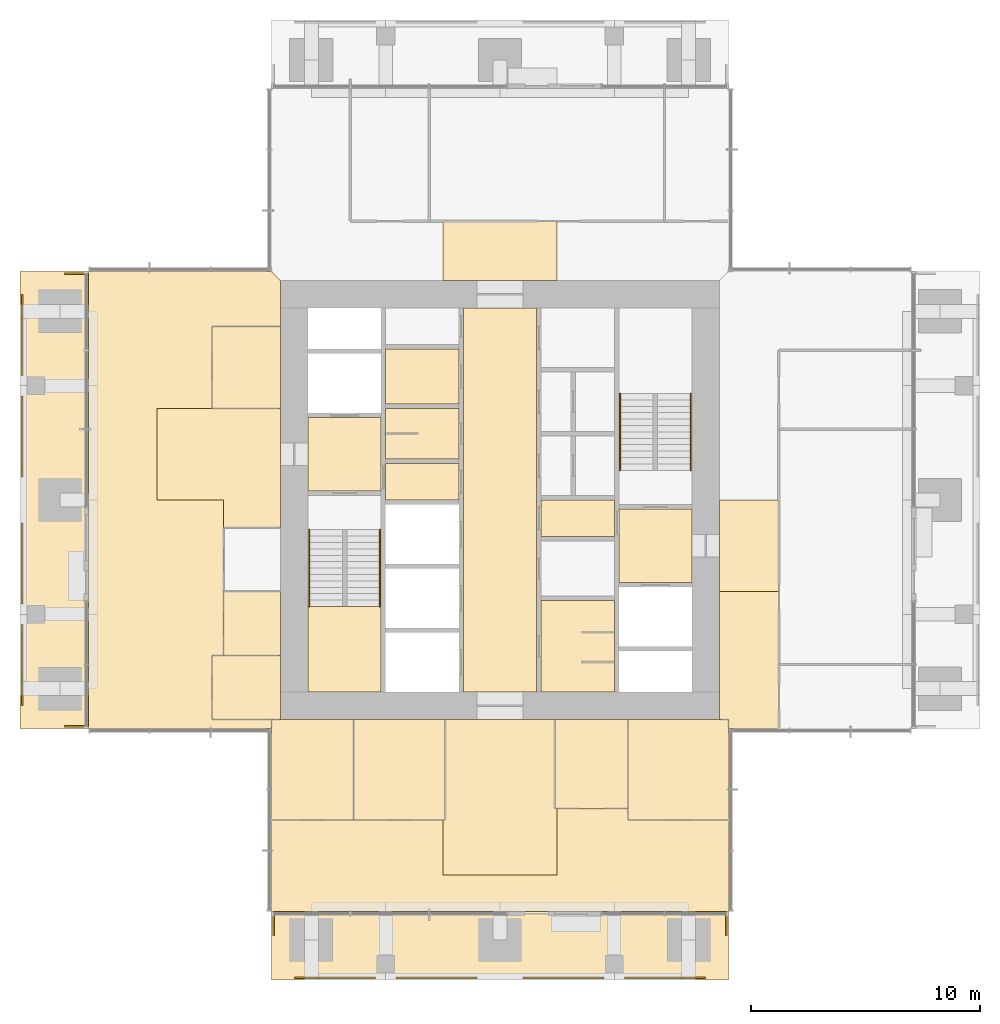
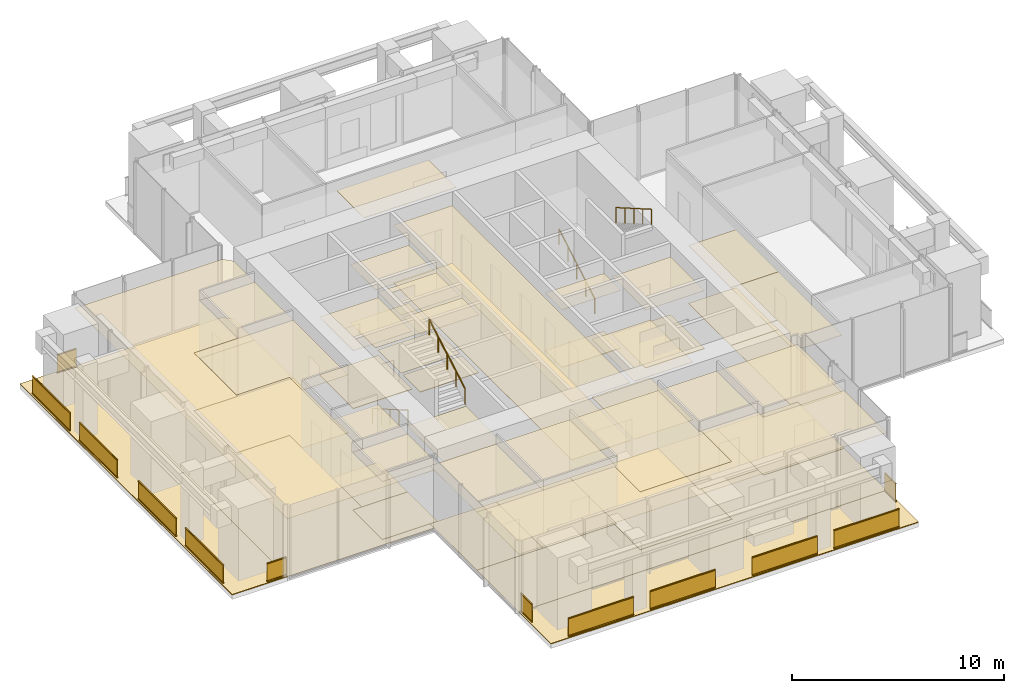
# One storey, part 10 of 12: 46 coverings, 16 railings.
"""IFC4 building model written with IfcOpenShell, lengths in metres."""

from ifc_helpers import new_model, si_unit, direction, frame, origin, origin_2d, place, context, subcontext, project, spatial, polyline, rectangle, circle, outline, extrude, material, layer, layer_set, type_object, element, save


model = new_model("IFC4")

# Units and contexts
model_context = context("Model", 3, precision=1e-05, world=origin(), true_north=direction((0.0, 1.0)))
body_context = subcontext(model_context, "Body", "Model", "MODEL_VIEW")
ifc_project = project(units=[si_unit("LENGTHUNIT", "METRE"), si_unit("AREAUNIT", "SQUARE_METRE"), si_unit("VOLUMEUNIT", "CUBIC_METRE"), si_unit("PLANEANGLEUNIT", "RADIAN"), si_unit("MASSUNIT", "GRAM", prefix="KILO")], contexts=[model_context])

# Site, building, storey
site_placement = place(None, origin())
site = spatial("IfcSite", under=ifc_project, at=site_placement, CompositionType="ELEMENT")
building_placement = place(site_placement, origin())
building = spatial("IfcBuilding", under=site, at=building_placement, Name="Svetlomir Tower", CompositionType="ELEMENT")
storey_placement = place(building_placement, frame((0.0, 0.0, 252.39990234375)))
storey = spatial("IfcBuildingStorey", under=building, at=storey_placement, Name="L60", CompositionType="ELEMENT", Elevation=252.39990234375)

# Railings
ifc_material_1 = material(Name="Bronze anodised aluminium and laminated glass", Category="aluminium")
railing_type_1 = type_object("IfcRailingType", Name="BALCONY GUARD GR1 1100", PredefinedType="GUARDRAIL", material=ifc_material_1)
for number, where, name in (
    (1, (12.0, 0.10009765625, 0.0), "Loggia guard S L60 bay 1"),
    (2, (16.449951171875, 0.10009765625, 0.0), "Loggia guard S L60 bay 2"),
    (3, (22.0, 0.10009765625, 0.0), "Loggia guard S L60 bay 3"),
    (4, (26.449951171875, 0.10009765625, 0.0), "Loggia guard S L60 bay 4"),
):
    element("IfcRailing", number, at=place(storey_placement, frame(where)), inside=storey, type_object=railing_type_1, Name=name, PredefinedType="GUARDRAIL", context=body_context, shape_type="SweptSolid", body=[
        extrude(rectangle(XDim=0.06005859375, YDim=0.10009765625, at=origin_2d()), frame((0.0, 0.0, 0.050048828125), z_axis=(1.0, 0.0, 0.0), x_axis=(0.0, 1.0, 0.0)), (0.0, 0.0, 1.0), 3.550048828125),
        extrude(rectangle(XDim=0.021484375, YDim=0.960205078125, at=origin_2d()), frame((0.0, 0.0, 0.580078125), z_axis=(1.0, 0.0, 0.0), x_axis=(0.0, 1.0, 0.0)), (0.0, 0.0, 1.0), 3.550048828125),
        extrude(rectangle(XDim=0.06005859375, YDim=0.0400390625, at=origin_2d()), frame((0.0, 0.0, 1.080078125), z_axis=(1.0, 0.0, 0.0), x_axis=(0.0, 1.0, 0.0)), (0.0, 0.0, 1.0), 3.550048828125),
    ])
for number, where, name in (
    (5, (11.10009765625, 1.949951171875, 0.0), "Loggia guard S L60 end 1"),
    (6, (30.89990234375, 1.949951171875, 0.0), "Loggia guard S L60 end 2"),
):
    element("IfcRailing", number, at=place(storey_placement, frame(where)), inside=storey, type_object=railing_type_1, Name=name, PredefinedType="GUARDRAIL", context=body_context, shape_type="SweptSolid", body=[
        extrude(rectangle(XDim=0.06005859375, YDim=0.10009765625, at=origin_2d()), frame((0.0, 0.0, 0.050048828125), z_axis=(0.0, 1.0, 0.0), x_axis=(-1.0, 0.0, 0.0)), (0.0, 0.0, 1.0), 1.050048828125),
        extrude(rectangle(XDim=0.021484375, YDim=0.960205078125, at=origin_2d()), frame((0.0, 0.0, 0.580078125), z_axis=(0.0, 1.0, 0.0), x_axis=(-1.0, 0.0, 0.0)), (0.0, 0.0, 1.0), 1.050048828125),
        extrude(rectangle(XDim=0.06005859375, YDim=0.0400390625, at=origin_2d()), frame((0.0, 0.0, 1.080078125), z_axis=(0.0, 1.0, 0.0), x_axis=(-1.0, 0.0, 0.0)), (0.0, 0.0, 1.0), 1.050048828125),
    ])
for number, where, name in (
    (7, (0.10009765625, 12.0, 0.0), "Loggia guard W L60 bay 1"),
    (8, (0.10009765625, 16.449951171875, 0.0), "Loggia guard W L60 bay 2"),
    (9, (0.10009765625, 22.0, 0.0), "Loggia guard W L60 bay 3"),
    (10, (0.10009765625, 26.449951171875, 0.0), "Loggia guard W L60 bay 4"),
):
    element("IfcRailing", number, at=place(storey_placement, frame(where)), inside=storey, type_object=railing_type_1, Name=name, PredefinedType="GUARDRAIL", context=body_context, shape_type="SweptSolid", body=[
        extrude(rectangle(XDim=0.06005859375, YDim=0.10009765625, at=origin_2d()), frame((0.0, 0.0, 0.050048828125), z_axis=(0.0, 1.0, 0.0), x_axis=(-1.0, 0.0, 0.0)), (0.0, 0.0, 1.0), 3.550048828125),
        extrude(rectangle(XDim=0.021484375, YDim=0.960205078125, at=origin_2d()), frame((0.0, 0.0, 0.580078125), z_axis=(0.0, 1.0, 0.0), x_axis=(-1.0, 0.0, 0.0)), (0.0, 0.0, 1.0), 3.550048828125),
        extrude(rectangle(XDim=0.06005859375, YDim=0.0400390625, at=origin_2d()), frame((0.0, 0.0, 1.080078125), z_axis=(0.0, 1.0, 0.0), x_axis=(-1.0, 0.0, 0.0)), (0.0, 0.0, 1.0), 3.550048828125),
    ])
for number, where, name in (
    (11, (1.949951171875, 11.10009765625, 0.0), "Loggia guard W L60 end 1"),
    (12, (1.949951171875, 30.89990234375, 0.0), "Loggia guard W L60 end 2"),
):
    element("IfcRailing", number, at=place(storey_placement, frame(where)), inside=storey, type_object=railing_type_1, Name=name, PredefinedType="GUARDRAIL", context=body_context, shape_type="SweptSolid", body=[
        extrude(rectangle(XDim=0.06005859375, YDim=0.10009765625, at=origin_2d()), frame((0.0, 0.0, 0.050048828125), z_axis=(1.0, 0.0, 0.0), x_axis=(0.0, 1.0, 0.0)), (0.0, 0.0, 1.0), 1.050048828125),
        extrude(rectangle(XDim=0.021484375, YDim=0.960205078125, at=origin_2d()), frame((0.0, 0.0, 0.580078125), z_axis=(1.0, 0.0, 0.0), x_axis=(0.0, 1.0, 0.0)), (0.0, 0.0, 1.0), 1.050048828125),
        extrude(rectangle(XDim=0.06005859375, YDim=0.0400390625, at=origin_2d()), frame((0.0, 0.0, 1.080078125), z_axis=(1.0, 0.0, 0.0), x_axis=(0.0, 1.0, 0.0)), (0.0, 0.0, 1.0), 1.050048828125),
    ])

# Coverings
ifc_material_2 = material(Name="Granite paving slabs on pedestals", Category="masonry")
ifc_layer_1 = layer(ifc_material_2, 0.0400390625)
ifc_layer_set_1 = layer_set([ifc_layer_1], Name="Granite paving slabs on pedestals")
covering_type_1 = type_object("IfcCoveringType", Name="BALCONY PAVING 40", PredefinedType="USERDEFINED", material=ifc_layer_set_1)
covering_1_placement = place(storey_placement, origin())
element("IfcCovering", 13, at=covering_1_placement, inside=storey, type_object=covering_type_1, Name="Loggia paving S L60", ObjectType="BALCONY PAVING", PredefinedType="USERDEFINED", context=body_context, shape_type="SweptSolid", body=[
    extrude(outline(polyline([(11.0, 0.0), (31.0, 0.0), (31.0, 3.0), (11.0, 3.0), (11.0, 0.0)])), origin(), (0.0, 0.0, 1.0), 0.0400390625),
])
covering_2_placement = place(storey_placement, origin())
element("IfcCovering", 14, at=covering_2_placement, inside=storey, type_object=covering_type_1, Name="Loggia paving W L60", ObjectType="BALCONY PAVING", PredefinedType="USERDEFINED", context=body_context, shape_type="SweptSolid", body=[
    extrude(outline(polyline([(0.0, 11.0), (3.0, 11.0), (3.0, 31.0), (0.0, 31.0), (0.0, 11.0)])), origin(), (0.0, 0.0, 1.0), 0.0400390625),
])
ifc_material_3 = material(Name="Ceramic floor tile", Category="ceramic")
ifc_layer_2 = layer(ifc_material_3, 0.014892578125)
ifc_layer_set_2 = layer_set([ifc_layer_2], Name="Ceramic floor tile")
covering_type_2 = type_object("IfcCoveringType", Name="CERAMIC TILE FLOOR 15", PredefinedType="FLOORING", material=ifc_layer_set_2)
covering_3_placement = place(storey_placement, origin())
element("IfcCovering", 15, at=covering_3_placement, inside=storey, type_object=covering_type_2, Name="Floor finish L60-04", PredefinedType="FLOORING", context=body_context, shape_type="SweptSolid", body=[
    extrude(outline(polyline([(16.0, 22.800048828125), (19.199951171875, 22.800048828125), (19.199951171875, 25.0), (16.0, 25.0), (16.0, 22.800048828125)])), origin(), (0.0, 0.0, 1.0), 0.01513671875),
])
covering_4_placement = place(storey_placement, origin())
element("IfcCovering", 16, at=covering_4_placement, inside=storey, type_object=covering_type_2, Name="Floor finish L60-05", PredefinedType="FLOORING", context=body_context, shape_type="SweptSolid", body=[
    extrude(outline(polyline([(16.0, 25.199951171875), (19.199951171875, 25.199951171875), (19.199951171875, 27.60009765625), (16.0, 27.60009765625), (16.0, 25.199951171875)])), origin(), (0.0, 0.0, 1.0), 0.01513671875),
])
covering_5_placement = place(storey_placement, origin())
element("IfcCovering", 17, at=covering_5_placement, inside=storey, type_object=covering_type_2, Name="Floor finish L60-08", PredefinedType="FLOORING", context=body_context, shape_type="SweptSolid", body=[
    extrude(outline(polyline([(22.800048828125, 12.60009765625), (26.0, 12.60009765625), (26.0, 16.60009765625), (22.800048828125, 16.60009765625), (22.800048828125, 12.60009765625)])), origin(), (0.0, 0.0, 1.0), 0.01513671875),
])

# Railings
ifc_material_4 = material(Name="Stainless steel", Category="steel")
railing_type_2 = type_object("IfcRailingType", Name="HANDRAIL HR1 900", PredefinedType="HANDRAIL", material=ifc_material_4)
railing_1_placement = place(storey_placement, frame((12.64990234375, 19.699951171875, 0.16162109375)))
element("IfcRailing", 18, at=railing_1_placement, inside=storey, type_object=railing_type_2, Name="Handrail S1 flight 1 L60", PredefinedType="HANDRAIL", context=body_context, shape_type="SweptSolid", body=[
    extrude(circle(Radius=0.02392578125, at=origin_2d()), frame((0.0, 0.0, 0.8759765625), z_axis=(0.0, -0.866175107563, 0.499740615757), x_axis=(1.0, 0.0, 0.0)), (0.0, 0.0, 1.0), 3.87890625),
    extrude(circle(Radius=0.02099609375, at=origin_2d()), origin(), (0.0, 0.0, 1.0), 0.851806640625),
    extrude(circle(Radius=0.02099609375, at=origin_2d()), frame((0.0, -0.83984375, 0.484619140625)), (0.0, 0.0, 1.0), 0.851806640625),
    extrude(circle(Radius=0.02099609375, at=origin_2d()), frame((0.0, -1.679931640625, 0.96923828125)), (0.0, 0.0, 1.0), 0.851806640625),
    extrude(circle(Radius=0.02099609375, at=origin_2d()), frame((0.0, -2.52001953125, 1.453857421875)), (0.0, 0.0, 1.0), 0.851806640625),
    extrude(circle(Radius=0.02099609375, at=origin_2d()), frame((0.0, -3.35986328125, 1.9384765625)), (0.0, 0.0, 1.0), 0.851806640625),
])
for number, where, name in (
    (19, (15.75, 16.340087890625, 2.26171875), "Handrail S1 flight 2 L60"),
    (20, (26.25, 22.300048828125, 0.16162109375), "Handrail S2 flight 1 L60"),
):
    element("IfcRailing", number, at=place(storey_placement, frame(where)), inside=storey, type_object=railing_type_2, Name=name, PredefinedType="HANDRAIL", context=body_context, shape_type="SweptSolid", body=[
        extrude(circle(Radius=0.02392578125, at=origin_2d()), frame((0.0, 0.0, 0.8759765625), z_axis=(0.0, 0.866175107563, 0.499740615757), x_axis=(-1.0, 0.0, 0.0)), (0.0, 0.0, 1.0), 3.87890625),
        extrude(circle(Radius=0.02099609375, at=origin_2d()), origin(), (0.0, 0.0, 1.0), 0.851806640625),
        extrude(circle(Radius=0.02099609375, at=origin_2d()), frame((0.0, 0.83984375, 0.484619140625)), (0.0, 0.0, 1.0), 0.851806640625),
        extrude(circle(Radius=0.02099609375, at=origin_2d()), frame((0.0, 1.679931640625, 0.96923828125)), (0.0, 0.0, 1.0), 0.851806640625),
        extrude(circle(Radius=0.02099609375, at=origin_2d()), frame((0.0, 2.52001953125, 1.453857421875)), (0.0, 0.0, 1.0), 0.851806640625),
        extrude(circle(Radius=0.02099609375, at=origin_2d()), frame((0.0, 3.35986328125, 1.9384765625)), (0.0, 0.0, 1.0), 0.851806640625),
    ])
railing_2_placement = place(storey_placement, frame((29.35009765625, 25.659912109375, 2.26171875)))
element("IfcRailing", 21, at=railing_2_placement, inside=storey, type_object=railing_type_2, Name="Handrail S2 flight 2 L60", PredefinedType="HANDRAIL", context=body_context, shape_type="SweptSolid", body=[
    extrude(circle(Radius=0.02392578125, at=origin_2d()), frame((0.0, 0.0, 0.8759765625), z_axis=(0.0, -0.866175107563, 0.499740615757), x_axis=(1.0, 0.0, 0.0)), (0.0, 0.0, 1.0), 3.87890625),
    extrude(circle(Radius=0.02099609375, at=origin_2d()), origin(), (0.0, 0.0, 1.0), 0.851806640625),
    extrude(circle(Radius=0.02099609375, at=origin_2d()), frame((0.0, -0.83984375, 0.484619140625)), (0.0, 0.0, 1.0), 0.851806640625),
    extrude(circle(Radius=0.02099609375, at=origin_2d()), frame((0.0, -1.679931640625, 0.96923828125)), (0.0, 0.0, 1.0), 0.851806640625),
    extrude(circle(Radius=0.02099609375, at=origin_2d()), frame((0.0, -2.52001953125, 1.453857421875)), (0.0, 0.0, 1.0), 0.851806640625),
    extrude(circle(Radius=0.02099609375, at=origin_2d()), frame((0.0, -3.35986328125, 1.9384765625)), (0.0, 0.0, 1.0), 0.851806640625),
])

# Coverings
ifc_material_5 = material(Name="Moisture resistant plasterboard ceiling", Category="gypsum")
ifc_layer_3 = layer(ifc_material_5, 0.012451171875)
ifc_layer_set_3 = layer_set([ifc_layer_3], Name="Moisture resistant plasterboard ceiling")
covering_type_3 = type_object("IfcCoveringType", Name="MOISTURE RESISTANT CEILING 12.5", PredefinedType="CEILING", material=ifc_layer_set_3)
covering_6_placement = place(storey_placement, frame((0.0, 0.0, 3.337646484375)))
element("IfcCovering", 22, at=covering_6_placement, inside=storey, type_object=covering_type_3, Name="Ceiling L60-04", PredefinedType="CEILING", context=body_context, shape_type="SweptSolid", body=[
    extrude(outline(polyline([(16.0, 22.800048828125), (19.199951171875, 22.800048828125), (19.199951171875, 25.0), (16.0, 25.0), (16.0, 22.800048828125)])), origin(), (0.0, 0.0, 1.0), 0.012451171875),
])
covering_7_placement = place(storey_placement, frame((0.0, 0.0, 3.337646484375)))
element("IfcCovering", 23, at=covering_7_placement, inside=storey, type_object=covering_type_3, Name="Ceiling L60-05", PredefinedType="CEILING", context=body_context, shape_type="SweptSolid", body=[
    extrude(outline(polyline([(16.0, 25.199951171875), (19.199951171875, 25.199951171875), (19.199951171875, 27.60009765625), (16.0, 27.60009765625), (16.0, 25.199951171875)])), origin(), (0.0, 0.0, 1.0), 0.012451171875),
])
covering_8_placement = place(storey_placement, frame((0.0, 0.0, 3.337646484375)))
element("IfcCovering", 24, at=covering_8_placement, inside=storey, type_object=covering_type_3, Name="Ceiling L60-08", PredefinedType="CEILING", context=body_context, shape_type="SweptSolid", body=[
    extrude(outline(polyline([(22.800048828125, 12.60009765625), (26.0, 12.60009765625), (26.0, 16.60009765625), (22.800048828125, 16.60009765625), (22.800048828125, 12.60009765625)])), origin(), (0.0, 0.0, 1.0), 0.012451171875),
])
ifc_material_6 = material(Name="Engineered oak floor", Category="wood")
ifc_layer_4 = layer(ifc_material_6, 0.02001953125)
ifc_layer_set_4 = layer_set([ifc_layer_4], Name="Engineered oak floor")
covering_type_4 = type_object("IfcCoveringType", Name="OAK FLOOR 20", PredefinedType="FLOORING", material=ifc_layer_set_4)
covering_9_placement = place(storey_placement, origin())
element("IfcCovering", 25, at=covering_9_placement, inside=storey, type_object=covering_type_4, Name="Floor finish L60-18", PredefinedType="FLOORING", context=body_context, shape_type="SweptSolid", body=[
    extrude(outline(polyline([(11.0, 7.0), (14.60009765625, 7.0), (14.60009765625, 11.39990234375), (11.0, 11.39990234375), (11.0, 7.0)])), origin(), (0.0, 0.0, 1.0), 0.02001953125),
])
covering_10_placement = place(storey_placement, origin())
element("IfcCovering", 26, at=covering_10_placement, inside=storey, type_object=covering_type_4, Name="Floor finish L60-19", PredefinedType="FLOORING", context=body_context, shape_type="SweptSolid", body=[
    extrude(outline(polyline([(14.60009765625, 7.0), (18.60009765625, 7.0), (18.60009765625, 11.39990234375), (14.60009765625, 11.39990234375), (14.60009765625, 7.0)])), origin(), (0.0, 0.0, 1.0), 0.02001953125),
])
covering_11_placement = place(storey_placement, origin())
element("IfcCovering", 27, at=covering_11_placement, inside=storey, type_object=covering_type_4, Name="Floor finish L60-20", PredefinedType="FLOORING", context=body_context, shape_type="SweptSolid", body=[
    extrude(outline(polyline([(23.39990234375, 7.5), (26.60009765625, 7.5), (26.60009765625, 11.39990234375), (23.39990234375, 11.39990234375), (23.39990234375, 7.5)])), origin(), (0.0, 0.0, 1.0), 0.02001953125),
])
covering_12_placement = place(storey_placement, origin())
element("IfcCovering", 28, at=covering_12_placement, inside=storey, type_object=covering_type_4, Name="Floor finish L60-21", PredefinedType="FLOORING", context=body_context, shape_type="SweptSolid", body=[
    extrude(outline(polyline([(26.60009765625, 7.0), (31.0, 7.0), (31.0, 11.39990234375), (26.60009765625, 11.39990234375), (26.60009765625, 7.0)])), origin(), (0.0, 0.0, 1.0), 0.02001953125),
])
covering_13_placement = place(storey_placement, origin())
element("IfcCovering", 29, at=covering_13_placement, inside=storey, type_object=covering_type_4, Name="Floor finish L60-28", PredefinedType="FLOORING", context=body_context, shape_type="SweptSolid", body=[
    extrude(outline(polyline([(8.39990234375, 11.39990234375), (11.39990234375, 11.39990234375), (11.39990234375, 14.199951171875), (8.39990234375, 14.199951171875), (8.39990234375, 11.39990234375)])), origin(), (0.0, 0.0, 1.0), 0.02001953125),
])
covering_14_placement = place(storey_placement, origin())
element("IfcCovering", 30, at=covering_14_placement, inside=storey, type_object=covering_type_4, Name="Floor finish L60-29", PredefinedType="FLOORING", context=body_context, shape_type="SweptSolid", body=[
    extrude(outline(polyline([(8.89990234375, 14.199951171875), (11.39990234375, 14.199951171875), (11.39990234375, 17.0), (8.89990234375, 17.0), (8.89990234375, 14.199951171875)])), origin(), (0.0, 0.0, 1.0), 0.02001953125),
])
covering_15_placement = place(storey_placement, origin())
element("IfcCovering", 31, at=covering_15_placement, inside=storey, type_object=covering_type_4, Name="Floor finish L60-31", PredefinedType="FLOORING", context=body_context, shape_type="SweptSolid", body=[
    extrude(outline(polyline([(8.39990234375, 25.0), (11.39990234375, 25.0), (11.39990234375, 28.60009765625), (8.39990234375, 28.60009765625), (8.39990234375, 25.0)])), origin(), (0.0, 0.0, 1.0), 0.02001953125),
])
covering_16_placement = place(storey_placement, origin())
element("IfcCovering", 32, at=covering_16_placement, inside=storey, type_object=covering_type_4, Name="Floor finish L60-32", PredefinedType="FLOORING", context=body_context, shape_type="SweptSolid", body=[
    extrude(outline(polyline([(23.39990234375, 7.5), (23.5, 7.5), (23.5, 4.60009765625), (18.5, 4.60009765625), (18.5, 7.0), (18.60009765625, 7.0), (18.60009765625, 11.39990234375), (23.39990234375, 11.39990234375), (23.39990234375, 7.5)])), origin(), (0.0, 0.0, 1.0), 0.02001953125),
])
covering_17_placement = place(storey_placement, origin())
element("IfcCovering", 33, at=covering_17_placement, inside=storey, type_object=covering_type_4, Name="Floor finish L60-33", PredefinedType="FLOORING", context=body_context, shape_type="SweptSolid", body=[
    extrude(outline(polyline([(30.60009765625, 21.0), (33.199951171875, 21.0), (33.199951171875, 17.0), (30.60009765625, 17.0), (30.60009765625, 21.0)])), origin(), (0.0, 0.0, 1.0), 0.02001953125),
])
covering_18_placement = place(storey_placement, origin())
element("IfcCovering", 34, at=covering_18_placement, inside=storey, type_object=covering_type_4, Name="Floor finish L60-34", PredefinedType="FLOORING", context=body_context, shape_type="SweptSolid", body=[
    extrude(outline(polyline([(6.0, 21.0), (6.0, 25.0), (11.39990234375, 25.0), (11.39990234375, 19.800048828125), (8.89990234375, 19.800048828125), (8.89990234375, 21.0), (6.0, 21.0)])), origin(), (0.0, 0.0, 1.0), 0.02001953125),
])
covering_19_placement = place(storey_placement, origin())
element("IfcCovering", 35, at=covering_19_placement, inside=storey, type_object=covering_type_4, Name="Floor finish L60-36", PredefinedType="FLOORING", context=body_context, shape_type="SweptSolid", body=[
    extrude(outline(polyline([(11.0, 7.0), (18.5, 7.0), (18.5, 4.60009765625), (23.5, 4.60009765625), (23.5, 7.5), (26.60009765625, 7.5), (26.60009765625, 7.0), (31.0, 7.0), (31.0, 3.0), (11.0, 3.0), (11.0, 7.0)])), origin(), (0.0, 0.0, 1.0), 0.02001953125),
])
covering_20_placement = place(storey_placement, origin())
element("IfcCovering", 36, at=covering_20_placement, inside=storey, type_object=covering_type_4, Name="Floor finish L60-37", PredefinedType="FLOORING", context=body_context, shape_type="SweptSolid", body=[
    extrude(outline(polyline([(30.60009765625, 11.39990234375), (30.60009765625, 17.0), (33.199951171875, 17.0), (33.199951171875, 11.0), (31.0, 11.0), (31.0, 11.39990234375), (30.60009765625, 11.39990234375)])), origin(), (0.0, 0.0, 1.0), 0.02001953125),
])
covering_21_placement = place(storey_placement, origin())
element("IfcCovering", 37, at=covering_21_placement, inside=storey, type_object=covering_type_4, Name="Floor finish L60-41", PredefinedType="FLOORING", context=body_context, shape_type="SweptSolid", body=[
    extrude(outline(polyline([(11.39990234375, 28.60009765625), (8.39990234375, 28.60009765625), (8.39990234375, 25.0), (6.0, 25.0), (6.0, 21.0), (8.89990234375, 21.0), (8.89990234375, 14.199951171875), (8.39990234375, 14.199951171875), (8.39990234375, 11.39990234375), (11.0, 11.39990234375), (11.0, 11.0), (3.0, 11.0), (3.0, 31.0), (11.0, 31.0), (11.39990234375, 30.60009765625), (11.39990234375, 28.60009765625)])), origin(), (0.0, 0.0, 1.0), 0.02001953125),
])
ifc_material_7 = material(Name="Gypsum plasterboard ceiling", Category="gypsum")
ifc_layer_5 = layer(ifc_material_7, 0.014892578125)
ifc_layer_set_5 = layer_set([ifc_layer_5], Name="Gypsum plasterboard ceiling")
covering_type_5 = type_object("IfcCoveringType", Name="PLASTERBOARD CEILING 15", PredefinedType="CEILING", material=ifc_layer_set_5)
covering_22_placement = place(storey_placement, frame((0.0, 0.0, 3.335205078125)))
element("IfcCovering", 38, at=covering_22_placement, inside=storey, type_object=covering_type_5, Name="Ceiling L60-02", PredefinedType="CEILING", context=body_context, shape_type="SweptSolid", body=[
    extrude(outline(polyline([(12.60009765625, 21.39990234375), (15.800048828125, 21.39990234375), (15.800048828125, 24.60009765625), (12.60009765625, 24.60009765625), (12.60009765625, 21.39990234375)])), origin(), (0.0, 0.0, 1.0), 0.014892578125),
])
covering_23_placement = place(storey_placement, frame((0.0, 0.0, 3.335205078125)))
element("IfcCovering", 39, at=covering_23_placement, inside=storey, type_object=covering_type_5, Name="Ceiling L60-03", PredefinedType="CEILING", context=body_context, shape_type="SweptSolid", body=[
    extrude(outline(polyline([(16.0, 21.0), (19.199951171875, 21.0), (19.199951171875, 22.60009765625), (16.0, 22.60009765625), (16.0, 21.0)])), origin(), (0.0, 0.0, 1.0), 0.014892578125),
])
covering_24_placement = place(storey_placement, frame((0.0, 0.0, 3.335205078125)))
element("IfcCovering", 40, at=covering_24_placement, inside=storey, type_object=covering_type_5, Name="Ceiling L60-07", PredefinedType="CEILING", context=body_context, shape_type="SweptSolid", body=[
    extrude(outline(polyline([(19.39990234375, 12.60009765625), (22.60009765625, 12.60009765625), (22.60009765625, 29.39990234375), (19.39990234375, 29.39990234375), (19.39990234375, 12.60009765625)])), origin(), (0.0, 0.0, 1.0), 0.014892578125),
])
covering_25_placement = place(storey_placement, frame((0.0, 0.0, 3.335205078125)))
element("IfcCovering", 41, at=covering_25_placement, inside=storey, type_object=covering_type_5, Name="Ceiling L60-10", PredefinedType="CEILING", context=body_context, shape_type="SweptSolid", body=[
    extrude(outline(polyline([(22.800048828125, 19.39990234375), (26.0, 19.39990234375), (26.0, 21.0), (22.800048828125, 21.0), (22.800048828125, 19.39990234375)])), origin(), (0.0, 0.0, 1.0), 0.014892578125),
])
covering_26_placement = place(storey_placement, frame((0.0, 0.0, 3.335205078125)))
element("IfcCovering", 42, at=covering_26_placement, inside=storey, type_object=covering_type_5, Name="Ceiling L60-11", PredefinedType="CEILING", context=body_context, shape_type="SweptSolid", body=[
    extrude(outline(polyline([(26.199951171875, 17.39990234375), (29.39990234375, 17.39990234375), (29.39990234375, 20.60009765625), (26.199951171875, 20.60009765625), (26.199951171875, 17.39990234375)])), origin(), (0.0, 0.0, 1.0), 0.014892578125),
])
ifc_material_8 = material(Name="Studded rubber floor finish", Category="rubber")
ifc_layer_6 = layer(ifc_material_8, 0.006103515625)
ifc_layer_set_6 = layer_set([ifc_layer_6], Name="Studded rubber floor finish")
covering_type_6 = type_object("IfcCoveringType", Name="RUBBER LANDING FINISH 6", PredefinedType="FLOORING", material=ifc_layer_set_6)
covering_27_placement = place(storey_placement, frame((0.0, 0.0, 2.10009765625)))
element("IfcCovering", 43, at=covering_27_placement, inside=storey, type_object=covering_type_6, Name="Stair S1 landing finish L60", PredefinedType="FLOORING", context=body_context, shape_type="SweptSolid", body=[
    extrude(outline(polyline([(12.60009765625, 12.60009765625), (15.800048828125, 12.60009765625), (15.800048828125, 16.340087890625), (12.60009765625, 16.340087890625), (12.60009765625, 12.60009765625)])), origin(), (0.0, 0.0, 1.0), 0.006103515625),
])
ifc_material_9 = material(Name="Mineral fibre ceiling tile", Category="mineral")
ifc_layer_7 = layer(ifc_material_9, 0.02001953125)
ifc_layer_set_7 = layer_set([ifc_layer_7], Name="Mineral fibre ceiling tile")
covering_type_7 = type_object("IfcCoveringType", Name="SUSPENDED CEILING 20", PredefinedType="CEILING", material=ifc_layer_set_7)
covering_28_placement = place(storey_placement, frame((0.0, 0.0, 3.330078125)))
element("IfcCovering", 44, at=covering_28_placement, inside=storey, type_object=covering_type_7, Name="Ceiling L60-18", PredefinedType="CEILING", context=body_context, shape_type="SweptSolid", body=[
    extrude(outline(polyline([(11.0, 7.0), (14.60009765625, 7.0), (14.60009765625, 11.39990234375), (11.0, 11.39990234375), (11.0, 7.0)])), origin(), (0.0, 0.0, 1.0), 0.02001953125),
])
covering_29_placement = place(storey_placement, frame((0.0, 0.0, 3.330078125)))
element("IfcCovering", 45, at=covering_29_placement, inside=storey, type_object=covering_type_7, Name="Ceiling L60-19", PredefinedType="CEILING", context=body_context, shape_type="SweptSolid", body=[
    extrude(outline(polyline([(14.60009765625, 7.0), (18.60009765625, 7.0), (18.60009765625, 11.39990234375), (14.60009765625, 11.39990234375), (14.60009765625, 7.0)])), origin(), (0.0, 0.0, 1.0), 0.02001953125),
])
covering_30_placement = place(storey_placement, frame((0.0, 0.0, 3.330078125)))
element("IfcCovering", 46, at=covering_30_placement, inside=storey, type_object=covering_type_7, Name="Ceiling L60-20", PredefinedType="CEILING", context=body_context, shape_type="SweptSolid", body=[
    extrude(outline(polyline([(23.39990234375, 7.5), (26.60009765625, 7.5), (26.60009765625, 11.39990234375), (23.39990234375, 11.39990234375), (23.39990234375, 7.5)])), origin(), (0.0, 0.0, 1.0), 0.02001953125),
])
covering_31_placement = place(storey_placement, frame((0.0, 0.0, 3.330078125)))
element("IfcCovering", 47, at=covering_31_placement, inside=storey, type_object=covering_type_7, Name="Ceiling L60-21", PredefinedType="CEILING", context=body_context, shape_type="SweptSolid", body=[
    extrude(outline(polyline([(26.60009765625, 7.0), (31.0, 7.0), (31.0, 11.39990234375), (26.60009765625, 11.39990234375), (26.60009765625, 7.0)])), origin(), (0.0, 0.0, 1.0), 0.02001953125),
])
covering_32_placement = place(storey_placement, frame((0.0, 0.0, 3.330078125)))
element("IfcCovering", 48, at=covering_32_placement, inside=storey, type_object=covering_type_7, Name="Ceiling L60-28", PredefinedType="CEILING", context=body_context, shape_type="SweptSolid", body=[
    extrude(outline(polyline([(8.39990234375, 11.39990234375), (11.39990234375, 11.39990234375), (11.39990234375, 14.199951171875), (8.39990234375, 14.199951171875), (8.39990234375, 11.39990234375)])), origin(), (0.0, 0.0, 1.0), 0.02001953125),
])
covering_33_placement = place(storey_placement, frame((0.0, 0.0, 3.330078125)))
element("IfcCovering", 49, at=covering_33_placement, inside=storey, type_object=covering_type_7, Name="Ceiling L60-29", PredefinedType="CEILING", context=body_context, shape_type="SweptSolid", body=[
    extrude(outline(polyline([(8.89990234375, 14.199951171875), (11.39990234375, 14.199951171875), (11.39990234375, 17.0), (8.89990234375, 17.0), (8.89990234375, 14.199951171875)])), origin(), (0.0, 0.0, 1.0), 0.02001953125),
])
covering_34_placement = place(storey_placement, frame((0.0, 0.0, 3.330078125)))
element("IfcCovering", 50, at=covering_34_placement, inside=storey, type_object=covering_type_7, Name="Ceiling L60-31", PredefinedType="CEILING", context=body_context, shape_type="SweptSolid", body=[
    extrude(outline(polyline([(8.39990234375, 25.0), (11.39990234375, 25.0), (11.39990234375, 28.60009765625), (8.39990234375, 28.60009765625), (8.39990234375, 25.0)])), origin(), (0.0, 0.0, 1.0), 0.02001953125),
])
covering_35_placement = place(storey_placement, frame((0.0, 0.0, 3.330078125)))
element("IfcCovering", 51, at=covering_35_placement, inside=storey, type_object=covering_type_7, Name="Ceiling L60-32", PredefinedType="CEILING", context=body_context, shape_type="SweptSolid", body=[
    extrude(outline(polyline([(23.39990234375, 7.5), (23.5, 7.5), (23.5, 4.60009765625), (18.5, 4.60009765625), (18.5, 7.0), (18.60009765625, 7.0), (18.60009765625, 11.39990234375), (23.39990234375, 11.39990234375), (23.39990234375, 7.5)])), origin(), (0.0, 0.0, 1.0), 0.02001953125),
])
covering_36_placement = place(storey_placement, frame((0.0, 0.0, 3.330078125)))
element("IfcCovering", 52, at=covering_36_placement, inside=storey, type_object=covering_type_7, Name="Ceiling L60-33", PredefinedType="CEILING", context=body_context, shape_type="SweptSolid", body=[
    extrude(outline(polyline([(30.60009765625, 21.0), (33.199951171875, 21.0), (33.199951171875, 17.0), (30.60009765625, 17.0), (30.60009765625, 21.0)])), origin(), (0.0, 0.0, 1.0), 0.02001953125),
])
covering_37_placement = place(storey_placement, frame((0.0, 0.0, 3.330078125)))
element("IfcCovering", 53, at=covering_37_placement, inside=storey, type_object=covering_type_7, Name="Ceiling L60-34", PredefinedType="CEILING", context=body_context, shape_type="SweptSolid", body=[
    extrude(outline(polyline([(6.0, 21.0), (6.0, 25.0), (11.39990234375, 25.0), (11.39990234375, 19.800048828125), (8.89990234375, 19.800048828125), (8.89990234375, 21.0), (6.0, 21.0)])), origin(), (0.0, 0.0, 1.0), 0.02001953125),
])
covering_38_placement = place(storey_placement, frame((0.0, 0.0, 3.330078125)))
element("IfcCovering", 54, at=covering_38_placement, inside=storey, type_object=covering_type_7, Name="Ceiling L60-35", PredefinedType="CEILING", context=body_context, shape_type="SweptSolid", body=[
    extrude(outline(polyline([(23.5, 30.60009765625), (18.5, 30.60009765625), (18.5, 33.199951171875), (23.5, 33.199951171875), (23.5, 30.60009765625)])), origin(), (0.0, 0.0, 1.0), 0.02001953125),
])
covering_39_placement = place(storey_placement, frame((0.0, 0.0, 3.330078125)))
element("IfcCovering", 55, at=covering_39_placement, inside=storey, type_object=covering_type_7, Name="Ceiling L60-36", PredefinedType="CEILING", context=body_context, shape_type="SweptSolid", body=[
    extrude(outline(polyline([(11.0, 7.0), (18.5, 7.0), (18.5, 4.60009765625), (23.5, 4.60009765625), (23.5, 7.5), (26.60009765625, 7.5), (26.60009765625, 7.0), (31.0, 7.0), (31.0, 3.0), (11.0, 3.0), (11.0, 7.0)])), origin(), (0.0, 0.0, 1.0), 0.02001953125),
])
covering_40_placement = place(storey_placement, frame((0.0, 0.0, 3.330078125)))
element("IfcCovering", 56, at=covering_40_placement, inside=storey, type_object=covering_type_7, Name="Ceiling L60-37", PredefinedType="CEILING", context=body_context, shape_type="SweptSolid", body=[
    extrude(outline(polyline([(30.60009765625, 11.39990234375), (30.60009765625, 17.0), (33.199951171875, 17.0), (33.199951171875, 11.0), (31.0, 11.0), (31.0, 11.39990234375), (30.60009765625, 11.39990234375)])), origin(), (0.0, 0.0, 1.0), 0.02001953125),
])
covering_41_placement = place(storey_placement, frame((0.0, 0.0, 3.330078125)))
element("IfcCovering", 57, at=covering_41_placement, inside=storey, type_object=covering_type_7, Name="Ceiling L60-41", PredefinedType="CEILING", context=body_context, shape_type="SweptSolid", body=[
    extrude(outline(polyline([(11.39990234375, 28.60009765625), (8.39990234375, 28.60009765625), (8.39990234375, 25.0), (6.0, 25.0), (6.0, 21.0), (8.89990234375, 21.0), (8.89990234375, 14.199951171875), (8.39990234375, 14.199951171875), (8.39990234375, 11.39990234375), (11.0, 11.39990234375), (11.0, 11.0), (3.0, 11.0), (3.0, 31.0), (11.0, 31.0), (11.39990234375, 30.60009765625), (11.39990234375, 28.60009765625)])), origin(), (0.0, 0.0, 1.0), 0.02001953125),
])
ifc_material_10 = material(Name="Bronze-aggregate terrazzo", Category="stone")
ifc_layer_8 = layer(ifc_material_10, 0.030029296875)
ifc_layer_set_8 = layer_set([ifc_layer_8], Name="Bronze-aggregate terrazzo")
covering_type_8 = type_object("IfcCoveringType", Name="TERRAZZO FLOOR 30", PredefinedType="FLOORING", material=ifc_layer_set_8)
covering_42_placement = place(storey_placement, origin())
element("IfcCovering", 58, at=covering_42_placement, inside=storey, type_object=covering_type_8, Name="Floor finish L60-02", PredefinedType="FLOORING", context=body_context, shape_type="SweptSolid", body=[
    extrude(outline(polyline([(12.60009765625, 21.39990234375), (15.800048828125, 21.39990234375), (15.800048828125, 24.60009765625), (12.60009765625, 24.60009765625), (12.60009765625, 21.39990234375)])), origin(), (0.0, 0.0, 1.0), 0.030029296875),
])
covering_43_placement = place(storey_placement, origin())
element("IfcCovering", 59, at=covering_43_placement, inside=storey, type_object=covering_type_8, Name="Floor finish L60-03", PredefinedType="FLOORING", context=body_context, shape_type="SweptSolid", body=[
    extrude(outline(polyline([(16.0, 21.0), (19.199951171875, 21.0), (19.199951171875, 22.60009765625), (16.0, 22.60009765625), (16.0, 21.0)])), origin(), (0.0, 0.0, 1.0), 0.030029296875),
])
covering_44_placement = place(storey_placement, origin())
element("IfcCovering", 60, at=covering_44_placement, inside=storey, type_object=covering_type_8, Name="Floor finish L60-07", PredefinedType="FLOORING", context=body_context, shape_type="SweptSolid", body=[
    extrude(outline(polyline([(19.39990234375, 12.60009765625), (22.60009765625, 12.60009765625), (22.60009765625, 29.39990234375), (19.39990234375, 29.39990234375), (19.39990234375, 12.60009765625)])), origin(), (0.0, 0.0, 1.0), 0.030029296875),
])
covering_45_placement = place(storey_placement, origin())
element("IfcCovering", 61, at=covering_45_placement, inside=storey, type_object=covering_type_8, Name="Floor finish L60-10", PredefinedType="FLOORING", context=body_context, shape_type="SweptSolid", body=[
    extrude(outline(polyline([(22.800048828125, 19.39990234375), (26.0, 19.39990234375), (26.0, 21.0), (22.800048828125, 21.0), (22.800048828125, 19.39990234375)])), origin(), (0.0, 0.0, 1.0), 0.030029296875),
])
covering_46_placement = place(storey_placement, origin())
element("IfcCovering", 62, at=covering_46_placement, inside=storey, type_object=covering_type_8, Name="Floor finish L60-11", PredefinedType="FLOORING", context=body_context, shape_type="SweptSolid", body=[
    extrude(outline(polyline([(26.199951171875, 17.39990234375), (29.39990234375, 17.39990234375), (29.39990234375, 20.60009765625), (26.199951171875, 20.60009765625), (26.199951171875, 17.39990234375)])), origin(), (0.0, 0.0, 1.0), 0.030029296875),
])

save(model, "model.ifc")
